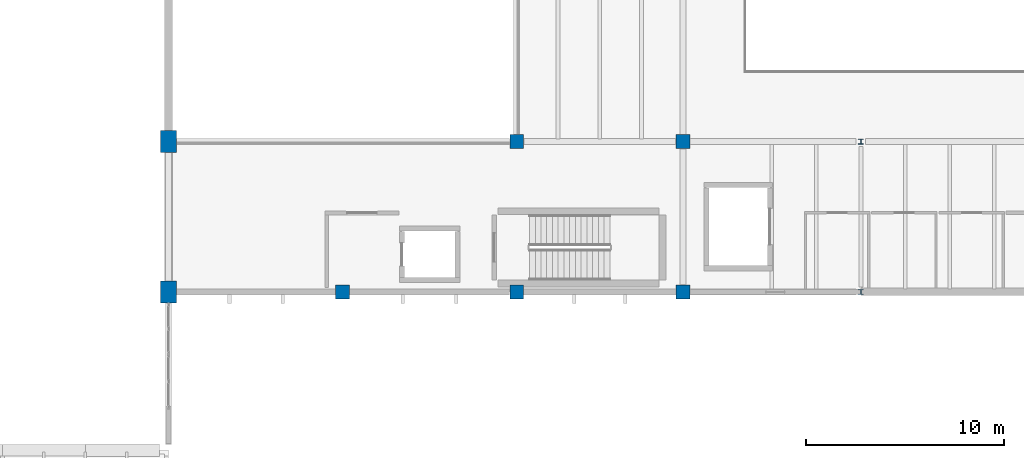
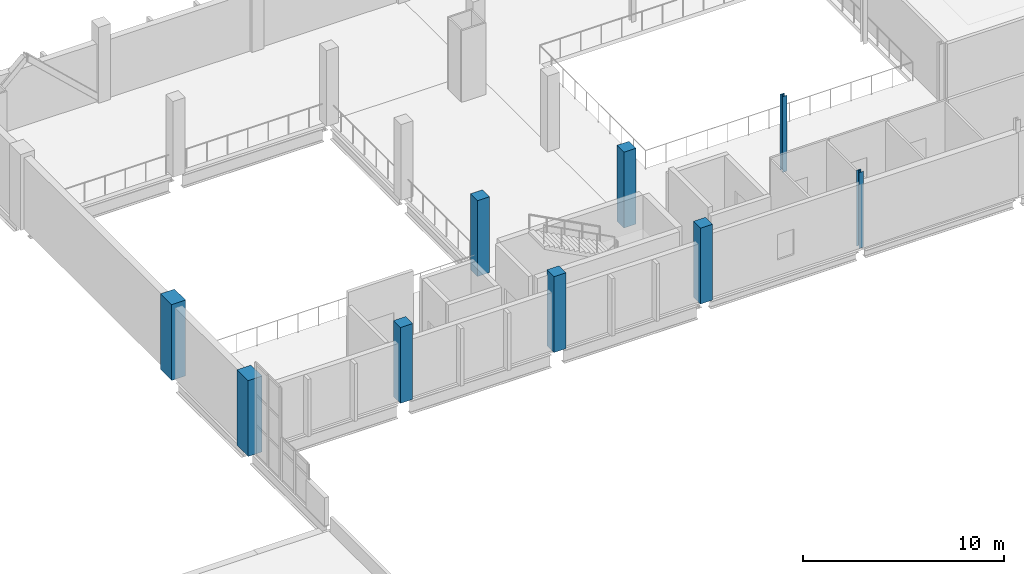
# One storey, part 1 of 37: 9 columns.
"""IFC4 building model written with IfcOpenShell, lengths in metres."""

from ifc_helpers import new_model, si_unit, direction, frame, origin, origin_2d, place, context, subcontext, project, spatial, rectangle, i_section, extrude, material, material_profile, profile_set, type_object, element, save


model = new_model("IFC4")

# Units and contexts
model_context = context("Model", 3, precision=1e-05, world=origin(), true_north=direction((0.0, 1.0)))
body_context = subcontext(model_context, "Body", "Model", "MODEL_VIEW")
ifc_project = project(units=[si_unit("LENGTHUNIT", "METRE"), si_unit("AREAUNIT", "SQUARE_METRE"), si_unit("VOLUMEUNIT", "CUBIC_METRE"), si_unit("PLANEANGLEUNIT", "RADIAN"), si_unit("MASSUNIT", "GRAM", prefix="KILO")], contexts=[model_context])

# Site, building, storey
site_placement = place(None, origin())
site = spatial("IfcSite", under=ifc_project, at=site_placement, CompositionType="ELEMENT")
building_placement = place(site_placement, origin())
building = spatial("IfcBuilding", under=site, at=building_placement, Name="Shengluoqiao Park Theatre", CompositionType="ELEMENT")
storey_placement = place(building_placement, frame((0.0, 0.0, 19.199951171875)))
storey = spatial("IfcBuildingStorey", under=building, at=storey_placement, Name="L04", CompositionType="ELEMENT", Elevation=19.199951171875)

# Columns
ifc_material_1 = material(Name="Steel Q355", Category="steel")
ifc_material_profile_1 = material_profile(ifc_material_1, i_section(OverallWidth=0.2548828125, OverallDepth=0.25, WebThickness=0.013916015625, FlangeThickness=0.013916015625, FilletRadius=0.01611328125, at=origin_2d()), Name="HW 250x255x14x14")
ifc_profile_set_1 = profile_set([ifc_material_profile_1], Name="Steel Q355")
column_type_1 = type_object("IfcColumnType", Name="STR-COL-C-HW255", PredefinedType="COLUMN", material=ifc_profile_set_1)
for number, where, z_axis, x_axis, name in (
    (1, (121.39990234375, 84.0, 0.0), (0.0, 0.0, 1.0), (1.0, 0.0, 0.0), "L04 Column 0598"),
    (2, (121.39990234375, 91.60009765625, 0.0), (0.0, 0.0, 1.0), (1.0, 0.0, 0.0), "L04 Column 0605"),
):
    element("IfcColumn", number, at=place(storey_placement, frame(where, z_axis=z_axis, x_axis=x_axis)), inside=storey, type_object=column_type_1, Name=name, PredefinedType="COLUMN", context=body_context, shape_type="SweptSolid", body=[
        extrude(i_section(OverallWidth=0.2548828125, OverallDepth=0.25, WebThickness=0.013916015625, FlangeThickness=0.013916015625, FilletRadius=0.01611328125, at=origin_2d()), origin(), (0.0, 0.0, 1.0), 4.60009765625),
    ])
ifc_material_2 = material(Name="Concrete C50", Category="concrete")
ifc_material_profile_2 = material_profile(ifc_material_2, rectangle(XDim=0.699951171875, YDim=0.699951171875, at=origin_2d()), Name="RC 700x700")
ifc_profile_set_2 = profile_set([ifc_material_profile_2], Name="Concrete C50")
column_type_2 = type_object("IfcColumnType", Name="STR-COL-C-RC700", PredefinedType="COLUMN", material=ifc_profile_set_2)
for number, where, z_axis, x_axis, name in (
    (3, (95.199951171875, 84.0, 0.0), (0.0, 0.0, 1.0), (1.0, 0.0, 0.0), "L04 Column 0473"),
    (4, (104.0, 84.0, 0.0), (0.0, 0.0, 1.0), (1.0, 0.0, 0.0), "L04 Column 0507"),
    (5, (104.0, 91.60009765625, 0.0), (0.0, 0.0, 1.0), (1.0, 0.0, 0.0), "L04 Column 0514"),
    (6, (112.39990234375, 84.0, 0.0), (0.0, 0.0, 1.0), (1.0, 0.0, 0.0), "L04 Column 0553"),
    (7, (112.39990234375, 91.60009765625, 0.0), (0.0, 0.0, 1.0), (1.0, 0.0, 0.0), "L04 Column 0560"),
):
    element("IfcColumn", number, at=place(storey_placement, frame(where, z_axis=z_axis, x_axis=x_axis)), inside=storey, type_object=column_type_2, Name=name, PredefinedType="COLUMN", context=body_context, shape_type="SweptSolid", body=[
        extrude(rectangle(XDim=0.699951171875, YDim=0.699951171875, at=origin_2d()), origin(), (0.0, 0.0, 1.0), 4.60009765625),
    ])
ifc_material_profile_3 = material_profile(ifc_material_2, rectangle(XDim=0.800048828125, YDim=1.10009765625, at=origin_2d()), Name="RC 800x1100")
ifc_profile_set_3 = profile_set([ifc_material_profile_3], Name="Concrete C50")
column_type_3 = type_object("IfcColumnType", Name="STR-COL-C-RC8011", PredefinedType="COLUMN", material=ifc_profile_set_3)
for number, where, z_axis, x_axis, name in (
    (8, (86.39990234375, 84.0, 0.0), (0.0, 0.0, 1.0), (1.0, 0.0, 0.0), "L04 Column 0433"),
    (9, (86.39990234375, 91.60009765625, 0.0), (0.0, 0.0, 1.0), (1.0, 0.0, 0.0), "L04 Column 0440"),
):
    element("IfcColumn", number, at=place(storey_placement, frame(where, z_axis=z_axis, x_axis=x_axis)), inside=storey, type_object=column_type_3, Name=name, PredefinedType="COLUMN", context=body_context, shape_type="SweptSolid", body=[
        extrude(rectangle(XDim=0.800048828125, YDim=1.10009765625, at=origin_2d()), origin(), (0.0, 0.0, 1.0), 4.60009765625),
    ])

save(model, "model.ifc")
